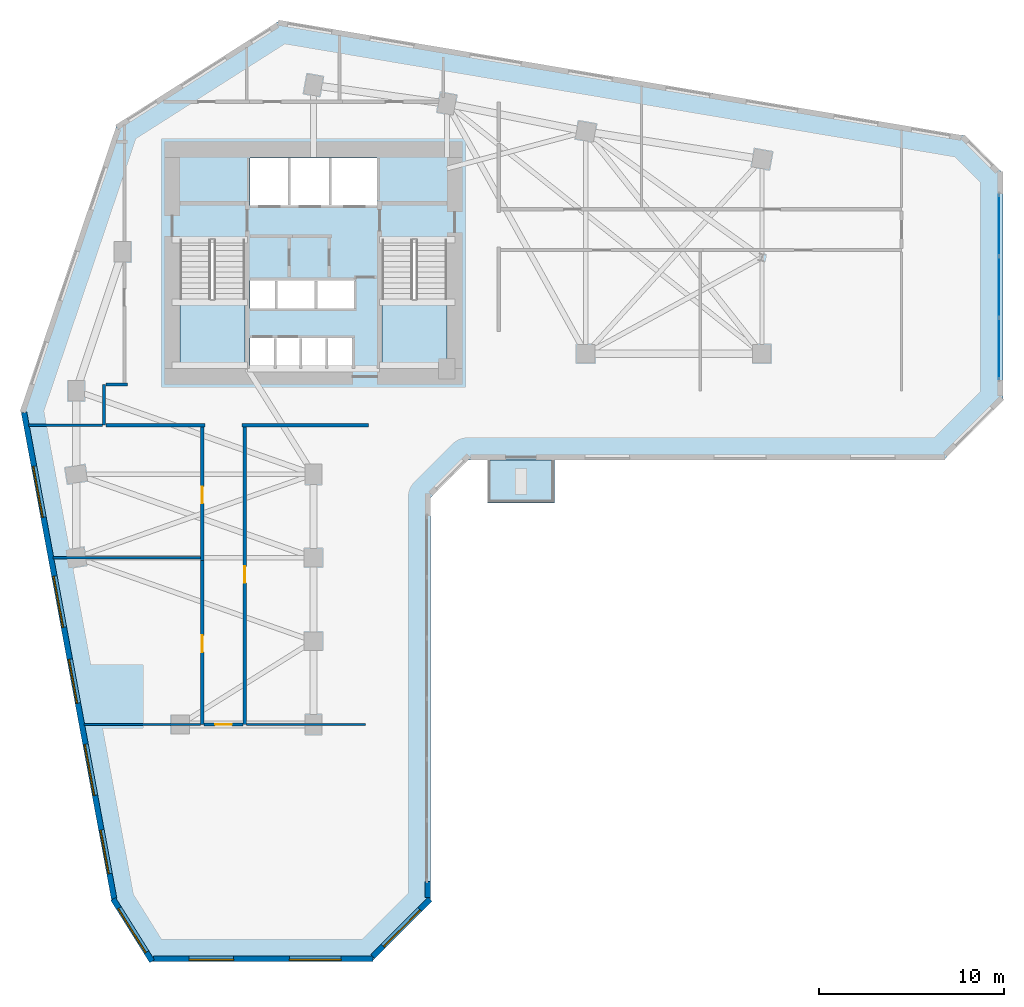
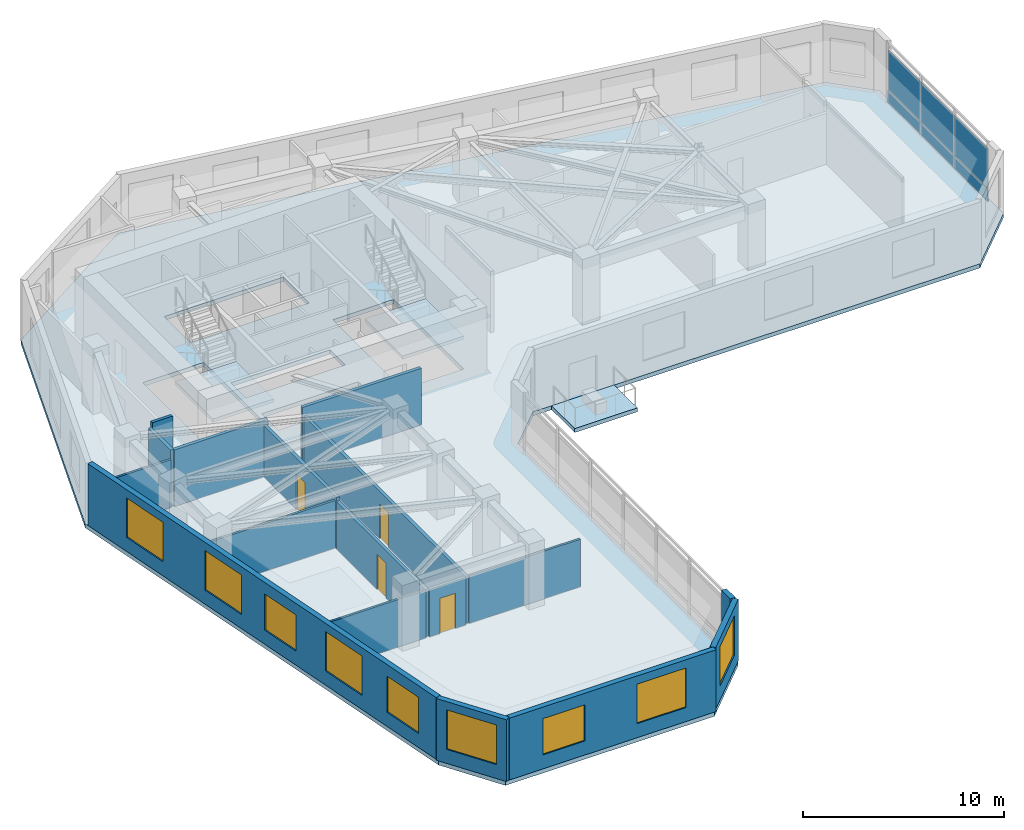
# One storey, part 6 of 11: 17 walls, 9 windows, 6 plates, 4 doors, 4 slabs, 13 openings, 3 elements without a shape of their own.
"""IFC4 building model written with IfcOpenShell, lengths in metres."""

from ifc_helpers import new_model, si_unit, direction, frame, frame_2d, origin, place, context, subcontext, project, spatial, polyline, rectangle, outline, extrude, source, transform, mapped, material, layer, layer_set, type_object, element, fill, aggregate, save


model = new_model("IFC4")

# Units and contexts
model_context = context("Model", 3, precision=1e-05, world=origin(), true_north=direction((0.0, 1.0)))
body_context = subcontext(model_context, "Body", "Model", "MODEL_VIEW")
ifc_project = project(units=[si_unit("LENGTHUNIT", "METRE"), si_unit("AREAUNIT", "SQUARE_METRE"), si_unit("VOLUMEUNIT", "CUBIC_METRE"), si_unit("PLANEANGLEUNIT", "RADIAN"), si_unit("MASSUNIT", "GRAM", prefix="KILO")], contexts=[model_context])

# Site, building, storey
site_placement = place(None, origin())
site = spatial("IfcSite", under=ifc_project, at=site_placement, CompositionType="ELEMENT")
building_placement = place(site_placement, origin())
building = spatial("IfcBuilding", under=site, at=building_placement, Name="Calvemar Wedge Station Tower", CompositionType="ELEMENT")
storey_placement = place(building_placement, frame((0.0, 0.0, 47.0)))
storey = spatial("IfcBuildingStorey", under=building, at=storey_placement, Name="L11", CompositionType="ELEMENT", Elevation=47.0)

# Curtain wall, plates
ifc_material_1 = material(Name="Anodised aluminium 6063-T6", Category="aluminium")
curtain_wall_type = type_object("IfcCurtainWallType", Name="CW1", PredefinedType="NOTDEFINED", material=ifc_material_1)
curtain_wall_placement = place(storey_placement, origin())
curtain_wall = element("IfcCurtainWall", 1, at=curtain_wall_placement, inside=storey, type_object=curtain_wall_type, Name="Storey L11 CW1 Recessed Unitised Curtain Wall 8", PredefinedType="NOTDEFINED")
ifc_material_2 = material(Name="Low-E laminated insulated glass", Category="glass")
ifc_layer_1 = layer(ifc_material_2, 0.028076171875)
ifc_layer_set_1 = layer_set([ifc_layer_1], Name="Low-E laminated insulated glass")
plate_type_1 = type_object("IfcPlateType", Name="CW1-GLZ", PredefinedType="CURTAIN_PANEL", material=ifc_layer_set_1)
plate_1_placement = place(storey_placement, frame((60.7900390625, 33.64013671875, 0.8701171875), z_axis=(0.0, 0.0, 1.0), x_axis=(0.0, 1.0, 0.0)))
plate_1 = element("IfcPlate", 2, at=plate_1_placement, type_object=plate_type_1, Name="CW1 vision glass panel 1", PredefinedType="CURTAIN_PANEL", context=body_context, shape_type="SweptSolid", body=[
    extrude(rectangle(XDim=3.289306640625, YDim=0.028076171875, at=frame_2d((1.64453125, 0.0))), origin(), (0.0, 0.0, 1.0), 2.409912109375),
])
plate_2_placement = place(storey_placement, frame((60.7900390625, 36.96533203125, 0.8701171875), z_axis=(0.0, 0.0, 1.0), x_axis=(0.0, 1.0, 0.0)))
plate_2 = element("IfcPlate", 3, at=plate_2_placement, type_object=plate_type_1, Name="CW1 vision glass panel 2", PredefinedType="CURTAIN_PANEL", context=body_context, shape_type="SweptSolid", body=[
    extrude(rectangle(XDim=3.289306640625, YDim=0.028076171875, at=frame_2d((1.64453125, 0.0))), origin(), (0.0, 0.0, 1.0), 2.409912109375),
])
plate_3_placement = place(storey_placement, frame((60.7900390625, 40.29052734375, 0.8701171875), z_axis=(0.0, 0.0, 1.0), x_axis=(0.0, 1.0, 0.0)))
plate_3 = element("IfcPlate", 4, at=plate_3_placement, type_object=plate_type_1, Name="CW1 vision glass panel 3", PredefinedType="CURTAIN_PANEL", context=body_context, shape_type="SweptSolid", body=[
    extrude(rectangle(XDim=3.289306640625, YDim=0.028076171875, at=frame_2d((1.64453125, 0.0))), origin(), (0.0, 0.0, 1.0), 2.409912109375),
])
ifc_material_3 = material(Name="Oxidized bronze aluminium spandrel panel 5005-H24", Category="aluminium")
ifc_layer_2 = layer(ifc_material_3, 0.0400390625)
ifc_layer_set_2 = layer_set([ifc_layer_2], Name="Oxidized bronze aluminium spandrel panel 5005-H24")
plate_type_2 = type_object("IfcPlateType", Name="CW1-SPD", PredefinedType="SHEET", material=ifc_layer_set_2)
plate_4_placement = place(storey_placement, frame((60.7900390625, 33.64013671875, 0.080078125), z_axis=(0.0, 0.0, 1.0), x_axis=(0.0, 1.0, 0.0)))
plate_4 = element("IfcPlate", 5, at=plate_4_placement, type_object=plate_type_2, Name="CW1 bronze spandrel panel 1", PredefinedType="SHEET", context=body_context, shape_type="SweptSolid", body=[
    extrude(rectangle(XDim=3.289306640625, YDim=0.0400390625, at=frame_2d((1.64453125, 0.0))), origin(), (0.0, 0.0, 1.0), 0.75),
])
plate_5_placement = place(storey_placement, frame((60.7900390625, 36.96533203125, 0.080078125), z_axis=(0.0, 0.0, 1.0), x_axis=(0.0, 1.0, 0.0)))
plate_5 = element("IfcPlate", 6, at=plate_5_placement, type_object=plate_type_2, Name="CW1 bronze spandrel panel 2", PredefinedType="SHEET", context=body_context, shape_type="SweptSolid", body=[
    extrude(rectangle(XDim=3.289306640625, YDim=0.0400390625, at=frame_2d((1.64453125, 0.0))), origin(), (0.0, 0.0, 1.0), 0.75),
])
plate_6_placement = place(storey_placement, frame((60.7900390625, 40.29052734375, 0.080078125), z_axis=(0.0, 0.0, 1.0), x_axis=(0.0, 1.0, 0.0)))
plate_6 = element("IfcPlate", 7, at=plate_6_placement, type_object=plate_type_2, Name="CW1 bronze spandrel panel 3", PredefinedType="SHEET", context=body_context, shape_type="SweptSolid", body=[
    extrude(rectangle(XDim=3.289306640625, YDim=0.0400390625, at=frame_2d((1.64453125, 0.0))), origin(), (0.0, 0.0, 1.0), 0.75),
])
aggregate(curtain_wall, [plate_4, plate_1, plate_5, plate_2, plate_6, plate_3])

# Stair, slab
ifc_material_4 = material(Name="Concrete C45", Category="concrete")
stair_type = type_object("IfcStairType", Name="ST-TYPE-4000", PredefinedType="HALF_TURN_STAIR", material=ifc_material_4)
stair_1_placement = place(storey_placement, origin())
stair_1 = element("IfcStair", 8, at=stair_1_placement, inside=storey, type_object=stair_type, Name="L11 Pressurized Core Exit Stair ST-C1", PredefinedType="HALF_TURN_STAIR")
ifc_layer_3 = layer(ifc_material_4, 0.199951171875)
ifc_layer_set_3 = layer_set([ifc_layer_3], Name="Concrete C45")
slab_type_1 = type_object("IfcSlabType", Name="SL-STAIR-LND-200", PredefinedType="LANDING", material=ifc_layer_set_3)
slab_1_placement = place(storey_placement, frame((0.0, 0.0, 1.800048828125)))
slab_1 = element("IfcSlab", 9, at=slab_1_placement, type_object=slab_type_1, Name="ST-C1 landing 1", PredefinedType="LANDING", context=body_context, shape_type="SweptSolid", body=[
    extrude(outline(polyline([(16.60009765625, 37.9599609375), (16.60009765625, 34.199951171875), (20.10009765625, 34.199951171875), (20.10009765625, 37.9599609375), (16.60009765625, 37.9599609375)])), origin(), (0.0, 0.0, 1.0), 0.199951171875),
])
aggregate(stair_1, [slab_1])

stair_2_placement = place(storey_placement, origin())
stair_2 = element("IfcStair", 10, at=stair_2_placement, inside=storey, type_object=stair_type, Name="L11 Pressurized Core Exit Stair ST-C2", PredefinedType="HALF_TURN_STAIR")
slab_2_placement = place(storey_placement, frame((0.0, 0.0, 1.800048828125)))
slab_2 = element("IfcSlab", 11, at=slab_2_placement, type_object=slab_type_1, Name="ST-C2 landing 1", PredefinedType="LANDING", context=body_context, shape_type="SweptSolid", body=[
    extrude(outline(polyline([(27.5, 37.9599609375), (27.5, 34.199951171875), (31.0, 34.199951171875), (31.0, 37.9599609375), (27.5, 37.9599609375)])), origin(), (0.0, 0.0, 1.0), 0.199951171875),
])
aggregate(stair_2, [slab_2])

# Slabs
ifc_layer_4 = layer(ifc_material_4, 0.239990234375)
ifc_layer_set_4 = layer_set([ifc_layer_4], Name="Concrete C45")
slab_type_2 = type_object("IfcSlabType", Name="SL-TERR-240", PredefinedType="FLOOR", material=ifc_layer_set_4)
slab_3_placement = place(storey_placement, frame((0.0, 0.0, -0.239990234375)))
element("IfcSlab", 12, at=slab_3_placement, inside=storey, type_object=slab_type_2, Name="Storey L11 Planted Spiral Terrace Slab", PredefinedType="FLOOR", context=body_context, shape_type="SweptSolid", body=[
    extrude(outline(polyline([(33.199951171875, 29.260009765625), (33.199951171875, 26.9599609375), (36.800048828125, 26.9599609375), (36.800048828125, 29.260009765625), (33.199951171875, 29.260009765625)])), origin(), (0.0, 0.0, 1.0), 0.239990234375),
])
ifc_material_5 = material(Name="Concrete C50", Category="concrete")
ifc_layer_5 = layer(ifc_material_5, 0.25)
ifc_layer_set_5 = layer_set([ifc_layer_5], Name="Concrete C50")
slab_type_3 = type_object("IfcSlabType", Name="SL-TYP-250", PredefinedType="FLOOR", material=ifc_layer_set_5)
slab_4_placement = place(storey_placement, frame((0.0, 0.0, -0.25)))
element("IfcSlab", 13, at=slab_4_placement, inside=storey, type_object=slab_type_3, Name="Storey L11 Structural Floor Slab", PredefinedType="FLOOR", context=body_context, shape_type="SweptSolid", body=[
    extrude(outline(polyline([(8.0, 32.0), (12.927978515625, 5.39990234375), (14.927978515625, 2.199951171875), (26.927978515625, 2.199951171875), (30.1279296875, 5.39990234375), (30.1279296875, 27.260009765625), (32.1279296875, 29.260009765625), (57.800048828125, 29.260009765625), (61.0, 32.4599609375), (61.0, 44.760009765625), (59.0, 46.760009765625), (22.0, 53.0), (13.199951171875, 47.39990234375), (8.0, 32.0)]), holes=[polyline([(21.739990234375, 35.85009765625), (21.72998046875, 35.85009765625), (20.3798828125, 35.85009765625), (20.3798828125, 34.219970703125), (21.72998046875, 34.219970703125), (21.739990234375, 34.219970703125), (23.1201171875, 34.219970703125), (23.1298828125, 34.219970703125), (24.510009765625, 34.219970703125), (24.52001953125, 34.219970703125), (25.909912109375, 34.219970703125), (25.909912109375, 35.85009765625), (24.52001953125, 35.85009765625), (24.510009765625, 35.85009765625), (23.1298828125, 35.85009765625), (23.1201171875, 35.85009765625), (21.739990234375, 35.85009765625)]), polyline([(16.60009765625, 41.14990234375), (16.60009765625, 34.199951171875), (20.10009765625, 34.199951171875), (20.10009765625, 41.14990234375), (16.60009765625, 41.14990234375)]), polyline([(27.5, 34.199951171875), (31.0, 34.199951171875), (31.0, 41.14990234375), (27.5, 41.14990234375), (27.5, 34.199951171875)]), polyline([(21.7900390625, 37.449951171875), (21.800048828125, 37.449951171875), (23.929931640625, 37.449951171875), (23.93994140625, 37.449951171875), (26.080078125, 37.449951171875), (26.080078125, 38.949951171875), (23.93994140625, 38.949951171875), (23.929931640625, 38.949951171875), (21.800048828125, 38.949951171875), (21.7900390625, 38.949951171875), (20.3798828125, 38.949951171875), (20.3798828125, 37.449951171875), (21.7900390625, 37.449951171875)]), polyline([(20.3798828125, 43.0), (27.219970703125, 43.0), (27.219970703125, 45.580078125), (20.3798828125, 45.580078125), (20.3798828125, 43.0)])]), origin(), (0.0, 0.0, 1.0), 0.25),
])

# Walls
ifc_material_6 = material(Name="Double-stud fire-rated corridor partition")
ifc_layer_6 = layer(ifc_material_6, 0.179931640625)
ifc_layer_set_6 = layer_set([ifc_layer_6], Name="Double-stud fire-rated corridor partition")
wall_type_1 = type_object("IfcWallType", Name="W-CORR-180", PredefinedType="PARTITIONING", material=ifc_layer_set_6)
wall_1_placement = place(storey_placement, frame((12.5, 31.14990234375, 0.0), z_axis=(0.0, 0.0, 1.0), x_axis=(0.0, 1.0, 0.0)))
element("IfcWall", 14, at=wall_1_placement, inside=storey, type_object=wall_type_1, Name="Storey L11 Interior Partition WL-L11-006", PredefinedType="PARTITIONING", context=body_context, shape_type="SweptSolid", body=[
    extrude(rectangle(XDim=2.2001953125, YDim=0.179931640625, at=frame_2d((1.10009765625, 0.0))), origin(), (0.0, 0.0, 1.0), 3.43408203125),
])
wall_2_placement = place(storey_placement, frame((12.593994140625, 33.35009765625, 0.0), z_axis=(0.0, 0.0, 1.0), x_axis=(1.0, 0.0, 0.0)))
element("IfcWall", 15, at=wall_2_placement, inside=storey, type_object=wall_type_1, Name="Storey L11 Interior Partition WL-L11-007", PredefinedType="PARTITIONING", context=body_context, shape_type="SweptSolid", body=[
    extrude(rectangle(XDim=1.166015625, YDim=0.179931640625, at=frame_2d((0.5830078125, 0.0))), origin(), (0.0, 0.0, 1.0), 3.75),
])
wall_3_placement = place(storey_placement, frame((17.9599609375, 31.14990234375, 0.0), z_axis=(0.0, 0.0, 1.0), x_axis=(-1.0, 0.0, 0.0)))
element("IfcWall", 16, at=wall_3_placement, inside=storey, type_object=wall_type_1, Name="Storey L11 Interior Partition WL-L11-008", PredefinedType="PARTITIONING", context=body_context, shape_type="SweptSolid", body=[
    extrude(rectangle(XDim=5.365966796875, YDim=0.179931640625, at=frame_2d((2.68310546875, 0.0))), origin(), (0.0, 0.0, 1.0), 3.43408203125),
])
wall_4_placement = place(storey_placement, frame((26.760009765625, 31.14990234375, 0.0), z_axis=(0.0, 0.0, 1.0), x_axis=(-1.0, 0.0, 0.0)))
element("IfcWall", 17, at=wall_4_placement, inside=storey, type_object=wall_type_1, Name="Storey L11 Interior Partition WL-L11-009", PredefinedType="PARTITIONING", context=body_context, shape_type="SweptSolid", body=[
    extrude(rectangle(XDim=6.820068359375, YDim=0.179931640625, at=frame_2d((3.41015625, 0.0))), origin(), (0.0, 0.0, 1.0), 3.43408203125),
])

# Wall, opening, door
wall_5_placement = place(storey_placement, frame((17.800048828125, 23.840087890625, 0.0), z_axis=(0.0, 0.0, 1.0), x_axis=(0.0, 1.0, 0.0)))
wall_5 = element("IfcWall", 18, at=wall_5_placement, inside=storey, type_object=wall_type_1, Name="Storey L11 Interior Partition WL-L11-030", PredefinedType="PARTITIONING", context=body_context, shape_type="SweptSolid", body=[
    extrude(rectangle(XDim=7.2158203125, YDim=0.179931640625, at=frame_2d((3.60791015625, 0.0))), origin(), (0.0, 0.0, 1.0), 3.125),
])
shared_shape_1 = source(origin(), body_context, "Body", "SweptSolid", [
    extrude(rectangle(XDim=0.89990234375, YDim=2.14990234375, at=frame_2d((0.449951171875, 1.074951171875))), frame((0.0, 0.10009765625, 0.0), z_axis=(0.0, -1.0, 0.0), x_axis=(1.0, 0.0, 0.0)), (0.0, 0.0, 1.0), 0.199951171875),
])
opening_1_placement = place(wall_5_placement, frame((3.0966796875, 0.0, 0.0)))
opening_1 = element("IfcOpeningElement", 19, at=opening_1_placement, cuts=wall_5, Name="Opening D-01", PredefinedType="OPENING", context=body_context, shape_type="MappedRepresentation", body=[
    mapped(shared_shape_1, transform((0.0, 0.0, 0.0), scale=1.0)),
])
ifc_material_7 = material(Name="Architectural hardwood acoustic swing door", Category="wood")
door_type = type_object("IfcDoorType", Name="DR-INT-900", OperationType="NOTDEFINED", PredefinedType="DOOR", material=ifc_material_7)
shared_shape_2 = source(origin(), body_context, "Body", "SweptSolid", [
    extrude(rectangle(XDim=0.89990234375, YDim=2.14990234375, at=frame_2d((0.449951171875, 1.074951171875))), frame((0.0, 0.02490234375, 0.0), z_axis=(0.0, -1.0, 0.0), x_axis=(1.0, 0.0, 0.0)), (0.0, 0.0, 1.0), 0.050048828125),
])
door_1_placement = place(opening_1_placement, origin())
door_1 = element("IfcDoor", 20, at=door_1_placement, inside=storey, type_object=door_type, Name="L11 Office Door", OperationType="SINGLE_SWING_LEFT", OverallHeight=2.14990234375, OverallWidth=0.89990234375, PredefinedType="DOOR", context=body_context, shape_type="MappedRepresentation", body=[
    mapped(shared_shape_2, transform((0.0, 0.0, 0.0), scale=1.0)),
])
fill(opening_1, door_1)

wall_6_placement = place(storey_placement, frame((17.800048828125, 15.0, 0.0), z_axis=(0.0, 0.0, 1.0), x_axis=(0.0, 1.0, 0.0)))
wall_6 = element("IfcWall", 21, at=wall_6_placement, inside=storey, type_object=wall_type_1, Name="Storey L11 Interior Partition WL-L11-031", PredefinedType="PARTITIONING", context=body_context, shape_type="SweptSolid", body=[
    extrude(rectangle(XDim=8.837890625, YDim=0.179931640625, at=frame_2d((4.4189453125, 0.0))), origin(), (0.0, 0.0, 1.0), 2.89208984375),
])
opening_2_placement = place(wall_6_placement, frame((3.908447265625, 0.0, 0.0)))
opening_2 = element("IfcOpeningElement", 22, at=opening_2_placement, cuts=wall_6, Name="Opening D-01", PredefinedType="OPENING", context=body_context, shape_type="MappedRepresentation", body=[
    mapped(shared_shape_1, transform((0.0, 0.0, 0.0), scale=1.0)),
])
door_2_placement = place(opening_2_placement, origin())
door_2 = element("IfcDoor", 23, at=door_2_placement, inside=storey, type_object=door_type, Name="L11 Co-Working Studio Door", OperationType="SINGLE_SWING_RIGHT", OverallHeight=2.14990234375, OverallWidth=0.89990234375, PredefinedType="DOOR", context=body_context, shape_type="MappedRepresentation", body=[
    mapped(shared_shape_2, transform((0.0, 0.0, 0.0), scale=1.0)),
])
fill(opening_2, door_2)

wall_7_placement = place(storey_placement, frame((20.10009765625, 31.055908203125, 0.0), z_axis=(0.0, 0.0, 1.0), x_axis=(0.0, -1.0, 0.0)))
wall_7 = element("IfcWall", 24, at=wall_7_placement, inside=storey, type_object=wall_type_1, Name="Storey L11 Interior Partition WL-L11-032", PredefinedType="PARTITIONING", context=body_context, shape_type="SweptSolid", body=[
    extrude(rectangle(XDim=16.055908203125, YDim=0.179931640625, at=frame_2d((8.02783203125, 0.0))), origin(), (0.0, 0.0, 1.0), 2.89208984375),
])
opening_3_placement = place(wall_7_placement, frame((7.517578125, 0.0, 0.0)))
opening_3 = element("IfcOpeningElement", 25, at=opening_3_placement, cuts=wall_7, Name="Opening D-01", PredefinedType="OPENING", context=body_context, shape_type="MappedRepresentation", body=[
    mapped(shared_shape_1, transform((0.0, 0.0, 0.0), scale=1.0)),
])
door_3_placement = place(opening_3_placement, origin())
door_3 = element("IfcDoor", 26, at=door_3_placement, inside=storey, type_object=door_type, Name="L11 Co-Working Studio Door", OperationType="SINGLE_SWING_LEFT", OverallHeight=2.14990234375, OverallWidth=0.89990234375, PredefinedType="DOOR", context=body_context, shape_type="MappedRepresentation", body=[
    mapped(shared_shape_2, transform((0.0, 0.0, 0.0), scale=1.0)),
])
fill(opening_3, door_3)

wall_8_placement = place(storey_placement, frame((20.006103515625, 15.0, 0.0), z_axis=(0.0, 0.0, 1.0), x_axis=(-1.0, 0.0, 0.0)))
wall_8 = element("IfcWall", 27, at=wall_8_placement, inside=storey, type_object=wall_type_1, Name="Storey L11 Interior Partition WL-L11-033", PredefinedType="PARTITIONING", context=body_context, shape_type="SweptSolid", body=[
    extrude(rectangle(XDim=2.112060546875, YDim=0.179931640625, at=frame_2d((1.05615234375, 0.0))), origin(), (0.0, 0.0, 1.0), 2.89208984375),
])
opening_4_placement = place(wall_8_placement, frame((0.60595703125, 0.0, 0.0)))
opening_4 = element("IfcOpeningElement", 28, at=opening_4_placement, cuts=wall_8, Name="Opening D-01", PredefinedType="OPENING", context=body_context, shape_type="MappedRepresentation", body=[
    mapped(shared_shape_1, transform((0.0, 0.0, 0.0), scale=1.0)),
])
door_4_placement = place(opening_4_placement, origin())
door_4 = element("IfcDoor", 29, at=door_4_placement, inside=storey, type_object=door_type, Name="L11 Meeting Room Door", OperationType="SINGLE_SWING_RIGHT", OverallHeight=2.14990234375, OverallWidth=0.89990234375, PredefinedType="DOOR", context=body_context, shape_type="MappedRepresentation", body=[
    mapped(shared_shape_2, transform((0.0, 0.0, 0.0), scale=1.0)),
])
fill(opening_4, door_4)

# Wall, opening, window
ifc_material_8 = material(Name="Precast concrete C45", Category="concrete")
ifc_layer_7 = layer(ifc_material_8, 0.300048828125)
ifc_layer_set_7 = layer_set([ifc_layer_7], Name="Precast concrete C45")
wall_type_2 = type_object("IfcWallType", Name="W-EXT-GFRC-300", PredefinedType="SOLIDWALL", material=ifc_layer_set_7)
wall_9_placement = place(storey_placement, frame((12.99072265625, 5.58251953125, 0.0), z_axis=(0.0, 0.0, 1.0), x_axis=(0.530015557218, -0.847987918019, 0.0)))
wall_9 = element("IfcWall", 30, at=wall_9_placement, inside=storey, type_object=wall_type_2, Name="Storey L11 Bronze GFRC Exterior Wall 1", PredefinedType="SOLIDWALL", context=body_context, shape_type="SweptSolid", body=[
    extrude(rectangle(XDim=3.9619140625, YDim=0.300048828125, at=frame_2d((1.98095703125, 0.0))), origin(), (0.0, 0.0, 1.0), 3.75),
])
shared_shape_3 = source(origin(), body_context, "Body", "SweptSolid", [
    extrude(rectangle(XDim=2.800048828125, YDim=2.39990234375, at=frame_2d((1.39990234375, 1.199951171875))), frame((0.0, 0.16015625, 0.0), z_axis=(0.0, -1.0, 0.0), x_axis=(1.0, 0.0, 0.0)), (0.0, 0.0, 1.0), 0.320068359375),
])
opening_5_placement = place(wall_9_placement, frame((0.5810546875, 0.0, 0.85009765625)))
opening_5 = element("IfcOpeningElement", 31, at=opening_5_placement, cuts=wall_9, Name="Opening W6", PredefinedType="OPENING", context=body_context, shape_type="MappedRepresentation", body=[
    mapped(shared_shape_3, transform((0.0, 0.0, 0.0), scale=1.0)),
])
window_type_1 = type_object("IfcWindowType", Name="WIN-EXT-6", PartitioningType="SINGLE_PANEL", PredefinedType="WINDOW", material=ifc_material_2)
shared_shape_4 = source(origin(), body_context, "Body", "SweptSolid", [
    extrude(rectangle(XDim=2.800048828125, YDim=2.39990234375, at=frame_2d((1.39990234375, 1.199951171875))), frame((0.0, -0.014892578125, 0.0), z_axis=(0.0, -1.0, 0.0), x_axis=(1.0, 0.0, 0.0)), (0.0, 0.0, 1.0), 0.06005859375),
])
window_1_placement = place(opening_5_placement, origin())
window_1 = element("IfcWindow", 32, at=window_1_placement, inside=storey, type_object=window_type_1, Name="Storey L11 Recessed Window 1.1", OverallHeight=2.39990234375, OverallWidth=2.800048828125, PartitioningType="SINGLE_PANEL", PredefinedType="WINDOW", context=body_context, shape_type="MappedRepresentation", body=[
    mapped(shared_shape_4, transform((0.0, 0.0, 0.0), scale=1.0)),
])
fill(opening_5, window_1)

# Wall, openings, windows
wall_10_placement = place(storey_placement, frame((15.173828125, 2.35009765625, 0.0), z_axis=(0.0, 0.0, 1.0), x_axis=(1.0, 0.0, 0.0)))
wall_10 = element("IfcWall", 33, at=wall_10_placement, inside=storey, type_object=wall_type_2, Name="Storey L11 Bronze GFRC Exterior Wall 2", PredefinedType="SOLIDWALL", context=body_context, shape_type="SweptSolid", body=[
    extrude(rectangle(XDim=11.842041015625, YDim=0.300048828125, at=frame_2d((5.9208984375, 0.0))), origin(), (0.0, 0.0, 1.0), 3.75),
])
shared_shape_5 = source(origin(), body_context, "Body", "SweptSolid", [
    extrude(rectangle(XDim=2.39990234375, YDim=2.199951171875, at=frame_2d((1.199951171875, 1.10009765625))), frame((0.0, 0.16015625, 0.0), z_axis=(0.0, -1.0, 0.0), x_axis=(1.0, 0.0, 0.0)), (0.0, 0.0, 1.0), 0.320068359375),
])
opening_6_placement = place(wall_10_placement, frame((1.9208984375, 0.0, 0.85009765625)))
opening_6 = element("IfcOpeningElement", 34, at=opening_6_placement, cuts=wall_10, Name="Opening W1", PredefinedType="OPENING", context=body_context, shape_type="MappedRepresentation", body=[
    mapped(shared_shape_5, transform((0.0, 0.0, 0.0), scale=1.0)),
])
opening_7_placement = place(wall_10_placement, frame((7.322021484375, 0.0, 0.85009765625)))
opening_7 = element("IfcOpeningElement", 35, at=opening_7_placement, cuts=wall_10, Name="Opening W6", PredefinedType="OPENING", context=body_context, shape_type="MappedRepresentation", body=[
    mapped(shared_shape_3, transform((0.0, 0.0, 0.0), scale=1.0)),
])
window_2_placement = place(opening_7_placement, origin())
window_2 = element("IfcWindow", 36, at=window_2_placement, inside=storey, type_object=window_type_1, Name="Storey L11 Recessed Window 2.2", OverallHeight=2.39990234375, OverallWidth=2.800048828125, PartitioningType="SINGLE_PANEL", PredefinedType="WINDOW", context=body_context, shape_type="MappedRepresentation", body=[
    mapped(shared_shape_4, transform((0.0, 0.0, 0.0), scale=1.0)),
])
fill(opening_7, window_2)
window_type_2 = type_object("IfcWindowType", Name="WIN-EXT-1", PartitioningType="SINGLE_PANEL", PredefinedType="WINDOW", material=ifc_material_2)
shared_shape_6 = source(origin(), body_context, "Body", "SweptSolid", [
    extrude(rectangle(XDim=2.39990234375, YDim=2.199951171875, at=frame_2d((1.199951171875, 1.10009765625))), frame((0.0, -0.014892578125, 0.0), z_axis=(0.0, -1.0, 0.0), x_axis=(1.0, 0.0, 0.0)), (0.0, 0.0, 1.0), 0.06005859375),
])
window_3_placement = place(opening_6_placement, origin())
window_3 = element("IfcWindow", 37, at=window_3_placement, inside=storey, type_object=window_type_2, Name="Storey L11 Recessed Window 2.1", OverallHeight=2.199951171875, OverallWidth=2.39990234375, PartitioningType="SINGLE_PANEL", PredefinedType="WINDOW", context=body_context, shape_type="MappedRepresentation", body=[
    mapped(shared_shape_6, transform((0.0, 0.0, 0.0), scale=1.0)),
])
fill(opening_6, window_3)

# Wall, opening, window
wall_11_placement = place(storey_placement, frame((27.00390625, 2.488037109375, 0.0), z_axis=(0.0, 0.0, 1.0), x_axis=(0.707106781187, 0.707106781187, 0.0)))
wall_11 = element("IfcWall", 38, at=wall_11_placement, inside=storey, type_object=wall_type_2, Name="Storey L11 Bronze GFRC Exterior Wall 3", PredefinedType="SOLIDWALL", context=body_context, shape_type="SweptSolid", body=[
    extrude(rectangle(XDim=4.35595703125, YDim=0.300048828125, at=frame_2d((2.177978515625, 0.0))), origin(), (0.0, 0.0, 1.0), 3.75),
])
opening_8_placement = place(wall_11_placement, frame((0.778076171875, 0.0, 0.85009765625)))
opening_8 = element("IfcOpeningElement", 39, at=opening_8_placement, cuts=wall_11, Name="Opening W6", PredefinedType="OPENING", context=body_context, shape_type="MappedRepresentation", body=[
    mapped(shared_shape_3, transform((0.0, 0.0, 0.0), scale=1.0)),
])
window_4_placement = place(opening_8_placement, origin())
window_4 = element("IfcWindow", 40, at=window_4_placement, inside=storey, type_object=window_type_1, Name="Storey L11 Recessed Window 3.1", OverallHeight=2.39990234375, OverallWidth=2.800048828125, PartitioningType="SINGLE_PANEL", PredefinedType="WINDOW", context=body_context, shape_type="MappedRepresentation", body=[
    mapped(shared_shape_4, transform((0.0, 0.0, 0.0), scale=1.0)),
])
fill(opening_8, window_4)

# Wall
wall_12_placement = place(storey_placement, frame((29.97802734375, 5.6572265625, 0.0), z_axis=(0.0, 0.0, 1.0), x_axis=(0.0, 1.0, 0.0)))
element("IfcWall", 41, at=wall_12_placement, inside=storey, type_object=wall_type_2, Name="Storey L11 Bronze GFRC Corner Pier 4A", PredefinedType="SOLIDWALL", context=body_context, shape_type="SweptSolid", body=[
    extrude(rectangle(XDim=0.8798828125, YDim=0.300048828125, at=frame_2d((0.43994140625, 0.0))), origin(), (0.0, 0.0, 1.0), 3.75),
])

# Wall, openings, windows
wall_13_placement = place(storey_placement, frame((8.183349609375, 31.83349609375, 0.0), z_axis=(0.0, 0.0, 1.0), x_axis=(0.18216364648, -0.983268226834, 0.0)))
wall_13 = element("IfcWall", 42, at=wall_13_placement, inside=storey, type_object=wall_type_2, Name="Storey L11 Bronze GFRC Exterior Wall 13", PredefinedType="SOLIDWALL", context=body_context, shape_type="SweptSolid", body=[
    extrude(rectangle(XDim=26.678466796875, YDim=0.300048828125, at=frame_2d((13.33935546875, 0.0))), origin(), (0.0, 0.0, 1.0), 3.75),
])
opening_9_placement = place(wall_13_placement, frame((2.951904296875, 0.0, 0.85009765625)))
opening_9 = element("IfcOpeningElement", 43, at=opening_9_placement, cuts=wall_13, Name="Opening W6", PredefinedType="OPENING", context=body_context, shape_type="MappedRepresentation", body=[
    mapped(shared_shape_3, transform((0.0, 0.0, 0.0), scale=1.0)),
])
opening_10_placement = place(wall_13_placement, frame((8.986083984375, 0.0, 0.85009765625)))
opening_10 = element("IfcOpeningElement", 44, at=opening_10_placement, cuts=wall_13, Name="Opening W6", PredefinedType="OPENING", context=body_context, shape_type="MappedRepresentation", body=[
    mapped(shared_shape_3, transform((0.0, 0.0, 0.0), scale=1.0)),
])
opening_11_placement = place(wall_13_placement, frame((13.54296875, 0.0, 0.85009765625)))
opening_11 = element("IfcOpeningElement", 45, at=opening_11_placement, cuts=wall_13, Name="Opening W1", PredefinedType="OPENING", context=body_context, shape_type="MappedRepresentation", body=[
    mapped(shared_shape_5, transform((0.0, 0.0, 0.0), scale=1.0)),
])
opening_12_placement = place(wall_13_placement, frame((18.2109375, 0.0, 0.85009765625)))
opening_12 = element("IfcOpeningElement", 46, at=opening_12_placement, cuts=wall_13, Name="Opening W6", PredefinedType="OPENING", context=body_context, shape_type="MappedRepresentation", body=[
    mapped(shared_shape_3, transform((0.0, 0.0, 0.0), scale=1.0)),
])
opening_13_placement = place(wall_13_placement, frame((22.908935546875, 0.0, 0.85009765625)))
opening_13 = element("IfcOpeningElement", 47, at=opening_13_placement, cuts=wall_13, Name="Opening W1", PredefinedType="OPENING", context=body_context, shape_type="MappedRepresentation", body=[
    mapped(shared_shape_5, transform((0.0, 0.0, 0.0), scale=1.0)),
])
window_5_placement = place(opening_9_placement, origin())
window_5 = element("IfcWindow", 48, at=window_5_placement, inside=storey, type_object=window_type_1, Name="Storey L11 Recessed Window 13.1", OverallHeight=2.39990234375, OverallWidth=2.800048828125, PartitioningType="SINGLE_PANEL", PredefinedType="WINDOW", context=body_context, shape_type="MappedRepresentation", body=[
    mapped(shared_shape_4, transform((0.0, 0.0, 0.0), scale=1.0)),
])
fill(opening_9, window_5)
window_6_placement = place(opening_10_placement, origin())
window_6 = element("IfcWindow", 49, at=window_6_placement, inside=storey, type_object=window_type_1, Name="Storey L11 Recessed Window 13.2", OverallHeight=2.39990234375, OverallWidth=2.800048828125, PartitioningType="SINGLE_PANEL", PredefinedType="WINDOW", context=body_context, shape_type="MappedRepresentation", body=[
    mapped(shared_shape_4, transform((0.0, 0.0, 0.0), scale=1.0)),
])
fill(opening_10, window_6)
window_7_placement = place(opening_12_placement, origin())
window_7 = element("IfcWindow", 50, at=window_7_placement, inside=storey, type_object=window_type_1, Name="Storey L11 Recessed Window 13.4", OverallHeight=2.39990234375, OverallWidth=2.800048828125, PartitioningType="SINGLE_PANEL", PredefinedType="WINDOW", context=body_context, shape_type="MappedRepresentation", body=[
    mapped(shared_shape_4, transform((0.0, 0.0, 0.0), scale=1.0)),
])
fill(opening_12, window_7)
window_8_placement = place(opening_11_placement, origin())
window_8 = element("IfcWindow", 51, at=window_8_placement, inside=storey, type_object=window_type_2, Name="Storey L11 Recessed Window 13.3", OverallHeight=2.199951171875, OverallWidth=2.39990234375, PartitioningType="SINGLE_PANEL", PredefinedType="WINDOW", context=body_context, shape_type="MappedRepresentation", body=[
    mapped(shared_shape_6, transform((0.0, 0.0, 0.0), scale=1.0)),
])
fill(opening_11, window_8)
window_9_placement = place(opening_13_placement, origin())
window_9 = element("IfcWindow", 52, at=window_9_placement, inside=storey, type_object=window_type_2, Name="Storey L11 Recessed Window 13.5", OverallHeight=2.199951171875, OverallWidth=2.39990234375, PartitioningType="SINGLE_PANEL", PredefinedType="WINDOW", context=body_context, shape_type="MappedRepresentation", body=[
    mapped(shared_shape_6, transform((0.0, 0.0, 0.0), scale=1.0)),
])
fill(opening_13, window_9)

# Walls
ifc_material_9 = material(Name="Insulated acoustic gypsum stud partition")
ifc_layer_8 = layer(ifc_material_9, 0.125)
ifc_layer_set_8 = layer_set([ifc_layer_8], Name="Insulated acoustic gypsum stud partition")
wall_type_3 = type_object("IfcWallType", Name="W-PART-125", PredefinedType="PARTITIONING", material=ifc_layer_set_8)
wall_14_placement = place(storey_placement, frame((12.406005859375, 31.14990234375, 0.0), z_axis=(0.0, 0.0, 1.0), x_axis=(-1.0, 0.0, 0.0)))
element("IfcWall", 53, at=wall_14_placement, inside=storey, type_object=wall_type_3, Name="Storey L11 Interior Partition WL-L11-018", PredefinedType="PARTITIONING", context=body_context, shape_type="SweptSolid", body=[
    extrude(rectangle(XDim=3.97900390625, YDim=0.125, at=frame_2d((1.989501953125, 0.0))), origin(), (0.0, 0.0, 1.0), 2.89208984375),
])
wall_15_placement = place(storey_placement, frame((17.7060546875, 24.0, 0.0), z_axis=(0.0, 0.0, 1.0), x_axis=(-1.0, 0.0, 0.0)))
element("IfcWall", 54, at=wall_15_placement, inside=storey, type_object=wall_type_3, Name="Storey L11 Interior Partition WL-L11-034", PredefinedType="PARTITIONING", context=body_context, shape_type="SweptSolid", body=[
    extrude(rectangle(XDim=7.954345703125, YDim=0.125, at=frame_2d((3.97705078125, 0.0))), origin(), (0.0, 0.0, 1.0), 2.89208984375),
])
wall_16_placement = place(storey_placement, frame((17.7060546875, 15.0, 0.0), z_axis=(0.0, 0.0, 1.0), x_axis=(-1.0, 0.0, 0.0)))
element("IfcWall", 55, at=wall_16_placement, inside=storey, type_object=wall_type_3, Name="Storey L11 Interior Partition WL-L11-035", PredefinedType="PARTITIONING", context=body_context, shape_type="SweptSolid", body=[
    extrude(rectangle(XDim=6.287109375, YDim=0.125, at=frame_2d((3.1435546875, 0.0))), origin(), (0.0, 0.0, 1.0), 2.89208984375),
])
wall_17_placement = place(storey_placement, frame((26.60009765625, 15.0, 0.0), z_axis=(0.0, 0.0, 1.0), x_axis=(-1.0, 0.0, 0.0)))
element("IfcWall", 56, at=wall_17_placement, inside=storey, type_object=wall_type_3, Name="Storey L11 Interior Partition WL-L11-036", PredefinedType="PARTITIONING", context=body_context, shape_type="SweptSolid", body=[
    extrude(rectangle(XDim=6.406005859375, YDim=0.125, at=frame_2d((3.203125, 0.0))), origin(), (0.0, 0.0, 1.0), 2.89208984375),
])

save(model, "model.ifc")
